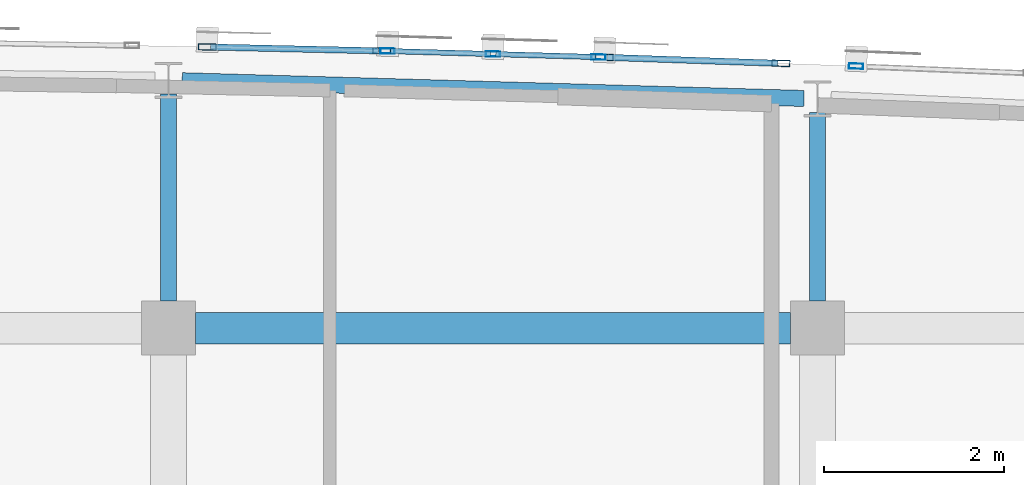
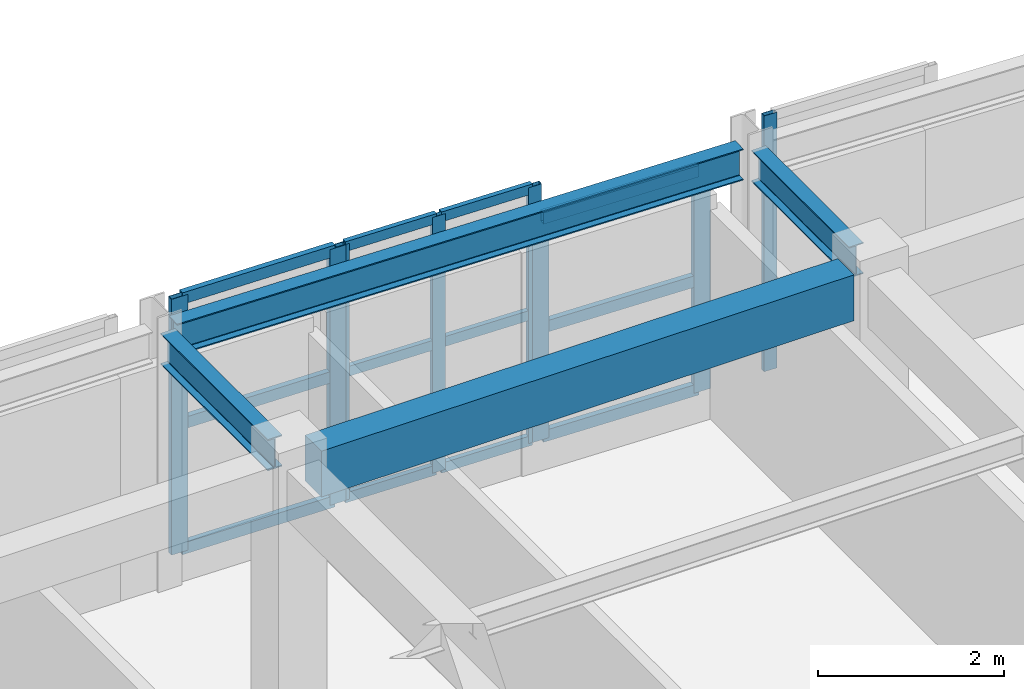
# One storey, part 30 of 73: 20 members, 4 beams, 4 elements without a shape of their own.
"""IFC4 building model written with IfcOpenShell, lengths in metres."""

from ifc_helpers import new_model, si_unit, direction, frame, origin, origin_2d, place, context, subcontext, project, spatial, rectangle, hollow_rectangle, i_section, extrude, material, layer, layer_set, material_profile, profile_set, type_object, element, aggregate, save


model = new_model("IFC4")

# Units and contexts
model_context = context("Model", 3, precision=1e-05, world=origin(), true_north=direction((0.0, 1.0)))
body_context = subcontext(model_context, "Body", "Model", "MODEL_VIEW")
ifc_project = project(units=[si_unit("LENGTHUNIT", "METRE"), si_unit("AREAUNIT", "SQUARE_METRE"), si_unit("VOLUMEUNIT", "CUBIC_METRE"), si_unit("PLANEANGLEUNIT", "RADIAN"), si_unit("MASSUNIT", "GRAM", prefix="KILO")], contexts=[model_context])

# Site, building, storey
site_placement = place(None, origin())
site = spatial("IfcSite", under=ifc_project, at=site_placement, CompositionType="ELEMENT")
building_placement = place(site_placement, origin())
building = spatial("IfcBuilding", under=site, at=building_placement, Name="Carrowvane Square Congress Hotel", CompositionType="ELEMENT")
storey_placement = place(building_placement, frame((0.0, 0.0, 19.199951171875)))
storey = spatial("IfcBuildingStorey", under=building, at=storey_placement, Name="L04", CompositionType="ELEMENT", Elevation=19.199951171875)

# Beams
ifc_material_1 = material(Name="Concrete C35/45", Category="concrete")
ifc_material_profile_1 = material_profile(ifc_material_1, rectangle(XDim=0.35009765625, YDim=0.60009765625, at=origin_2d()), Name="RC 350x600")
ifc_profile_set_1 = profile_set([ifc_material_profile_1], Name="Concrete C35/45")
beam_type_1 = type_object("IfcBeamType", Name="BM-RC-350x600", PredefinedType="BEAM", material=ifc_profile_set_1)
beam_1_placement = place(storey_placement, frame((105.5, 113.39990234375, 3.050048828125), z_axis=(1.0, 0.0, 0.0), x_axis=(0.0, 1.0, 0.0)))
element("IfcBeam", 1, at=beam_1_placement, inside=storey, type_object=beam_type_1, Name="L05 girder R/14-15", PredefinedType="BEAM", context=body_context, shape_type="SweptSolid", body=[
    extrude(rectangle(XDim=0.35009765625, YDim=0.60009765625, at=origin_2d()), origin(), (0.0, 0.0, 1.0), 6.60009765625),
])
ifc_material_2 = material(Name="Steel S355", Category="steel")
ifc_material_profile_2 = material_profile(ifc_material_2, i_section(OverallWidth=0.1787109375, OverallDepth=0.409423828125, WebThickness=0.0087890625, FlangeThickness=0.014404296875, FilletRadius=0.01025390625, at=origin_2d()), Name="UKB 406x178x67")
ifc_profile_set_2 = profile_set([ifc_material_profile_2], Name="Steel S355")
beam_type_2 = type_object("IfcBeamType", Name="BM-ST-UKB406", PredefinedType="BEAM", material=ifc_profile_set_2)
beam_2_placement = place(storey_placement, frame((105.349853515625, 116.1455078125, 3.145263671875), z_axis=(0.999591595899, -0.028576938382, 0.0), x_axis=(0.028576938382, 0.999591595899, 0.0)))
element("IfcBeam", 2, at=beam_2_placement, inside=storey, type_object=beam_type_2, Name="L05 curved north spandrel", PredefinedType="BEAM", context=body_context, shape_type="SweptSolid", body=[
    extrude(i_section(OverallWidth=0.1787109375, OverallDepth=0.409423828125, WebThickness=0.0087890625, FlangeThickness=0.014404296875, FilletRadius=0.01025390625, at=origin_2d()), origin(), (0.0, 0.0, 1.0), 6.903076171875),
])
beam_3_placement = place(storey_placement, frame((105.199951171875, 113.699951171875, 3.145263671875), z_axis=(0.0, 1.0, 0.0), x_axis=(-1.0, 0.0, 0.0)))
element("IfcBeam", 3, at=beam_3_placement, inside=storey, type_object=beam_type_2, Name="L05 radial north beam 14", PredefinedType="BEAM", context=body_context, shape_type="SweptSolid", body=[
    extrude(i_section(OverallWidth=0.1787109375, OverallDepth=0.409423828125, WebThickness=0.0087890625, FlangeThickness=0.014404296875, FilletRadius=0.01025390625, at=origin_2d()), origin(), (0.0, 0.0, 1.0), 2.2998046875),
])
beam_4_placement = place(storey_placement, frame((112.39990234375, 113.699951171875, 3.145263671875), z_axis=(0.0, 1.0, 0.0), x_axis=(-1.0, 0.0, 0.0)))
element("IfcBeam", 4, at=beam_4_placement, inside=storey, type_object=beam_type_2, Name="L05 radial north beam 15", PredefinedType="BEAM", context=body_context, shape_type="SweptSolid", body=[
    extrude(i_section(OverallWidth=0.1787109375, OverallDepth=0.409423828125, WebThickness=0.0087890625, FlangeThickness=0.014404296875, FilletRadius=0.01025390625, at=origin_2d()), origin(), (0.0, 0.0, 1.0), 2.093994140625),
])

# Curtain wall, members
ifc_material_3 = material(Name="Anodised aluminium", Category="aluminium")
ifc_layer_1 = layer(ifc_material_3, 0.2099609375)
ifc_layer_set_1 = layer_set([ifc_layer_1], Name="Anodised aluminium")
curtain_wall_type_1 = type_object("IfcCurtainWallType", Name="CW-SYS-5", PredefinedType="NOTDEFINED", material=ifc_layer_set_1)
curtain_wall_1_placement = place(storey_placement, origin())
curtain_wall_1 = element("IfcCurtainWall", 5, at=curtain_wall_1_placement, inside=storey, type_object=curtain_wall_type_1, Name="L04 unitised curtain wall 276", PredefinedType="NOTDEFINED")
ifc_material_4 = material(Name="Anodised aluminium", Category="aluminium")
ifc_material_profile_3 = material_profile(ifc_material_4, hollow_rectangle(XDim=0.06005859375, YDim=0.159912109375, WallThickness=0.00390625, at=origin_2d()), Name="CW-ML 60x160x4")
ifc_profile_set_3 = profile_set([ifc_material_profile_3], Name="Anodised aluminium")
member_type_1 = type_object("IfcMemberType", Name="CW-MUL-1", PredefinedType="MULLION", material=ifc_profile_set_3)
member_1_placement = place(storey_placement, frame((107.6298828125, 116.474853515625, 0.0), z_axis=(0.0, 0.0, 1.0), x_axis=(0.028638010501, 0.999589848065, 0.0)))
member_1 = element("IfcMember", 6, at=member_1_placement, type_object=member_type_1, Name="CW-5 mullion 1", PredefinedType="MULLION", context=body_context, shape_type="SweptSolid", body=[
    extrude(hollow_rectangle(XDim=0.06005859375, YDim=0.159912109375, WallThickness=0.00390625, at=origin_2d()), origin(), (0.0, 0.0, 1.0), 3.35009765625),
])
member_2_placement = place(storey_placement, frame((108.800048828125, 116.44140625, 0.0), z_axis=(0.0, 0.0, 1.0), x_axis=(0.028638010501, 0.999589848065, 0.0)))
member_2 = element("IfcMember", 7, at=member_2_placement, type_object=member_type_1, Name="CW-5 mullion 2", PredefinedType="MULLION", context=body_context, shape_type="SweptSolid", body=[
    extrude(hollow_rectangle(XDim=0.06005859375, YDim=0.159912109375, WallThickness=0.00390625, at=origin_2d()), origin(), (0.0, 0.0, 1.0), 3.35009765625),
])
member_3_placement = place(storey_placement, frame((109.969970703125, 116.40771484375, 0.0), z_axis=(0.0, 0.0, 1.0), x_axis=(0.028638010501, 0.999589848065, 0.0)))
member_3 = element("IfcMember", 8, at=member_3_placement, type_object=member_type_1, Name="CW-5 mullion 3", PredefinedType="MULLION", context=body_context, shape_type="SweptSolid", body=[
    extrude(hollow_rectangle(XDim=0.06005859375, YDim=0.159912109375, WallThickness=0.00390625, at=origin_2d()), origin(), (0.0, 0.0, 1.0), 3.35009765625),
])

# Curtain wall, member
ifc_material_5 = material(Name="Anodised aluminium", Category="aluminium")
ifc_layer_2 = layer(ifc_material_5, 0.23388671875)
ifc_layer_set_2 = layer_set([ifc_layer_2], Name="Anodised aluminium")
curtain_wall_type_2 = type_object("IfcCurtainWallType", Name="CW-SYS-7", PredefinedType="NOTDEFINED", material=ifc_layer_set_2)
curtain_wall_2_placement = place(storey_placement, origin())
curtain_wall_2 = element("IfcCurtainWall", 9, at=curtain_wall_2_placement, inside=storey, type_object=curtain_wall_type_2, Name="L04 unitised curtain wall 278", PredefinedType="NOTDEFINED")
member_4_placement = place(storey_placement, frame((112.828857421875, 116.306884765625, 0.0), z_axis=(0.0, 0.0, 1.0), x_axis=(0.040130957403, 0.999194428656, 0.0)))
member_4 = element("IfcMember", 10, at=member_4_placement, type_object=member_type_1, Name="CW-7 mullion 1", PredefinedType="MULLION", context=body_context, shape_type="SweptSolid", body=[
    extrude(hollow_rectangle(XDim=0.06005859375, YDim=0.159912109375, WallThickness=0.00390625, at=origin_2d()), origin(), (0.0, 0.0, 1.0), 3.35009765625),
])
aggregate(curtain_wall_2, [member_4])

# Curtain wall, members
ifc_material_6 = material(Name="Anodised aluminium", Category="aluminium")
ifc_layer_3 = layer(ifc_material_6, 0.197998046875)
ifc_layer_set_3 = layer_set([ifc_layer_3], Name="Anodised aluminium")
curtain_wall_type_3 = type_object("IfcCurtainWallType", Name="CW-SYS-4", PredefinedType="NOTDEFINED", material=ifc_layer_set_3)
curtain_wall_3_placement = place(storey_placement, origin())
curtain_wall_3 = element("IfcCurtainWall", 11, at=curtain_wall_3_placement, inside=storey, type_object=curtain_wall_type_3, Name="L04 unitised curtain wall 275", PredefinedType="NOTDEFINED")
ifc_material_7 = material(Name="Anodised aluminium", Category="aluminium")
ifc_material_profile_4 = material_profile(ifc_material_7, hollow_rectangle(XDim=0.070068359375, YDim=0.199951171875, WallThickness=0.0048828125, at=origin_2d()), Name="CW-ML 70x200x5")
ifc_profile_set_4 = profile_set([ifc_material_profile_4], Name="Anodised aluminium")
member_type_2 = type_object("IfcMemberType", Name="CW-MUL-2", PredefinedType="MULLION", material=ifc_profile_set_4)
member_5_placement = place(storey_placement, frame((105.627197265625, 116.52001953125, 0.0), z_axis=(0.0, 0.0, 1.0), x_axis=(0.022517686606, 0.99974644475, 0.0)))
member_5 = element("IfcMember", 12, at=member_5_placement, type_object=member_type_2, Name="CW-4 mullion 1", PredefinedType="MULLION", context=body_context, shape_type="SweptSolid", body=[
    extrude(hollow_rectangle(XDim=0.070068359375, YDim=0.199951171875, WallThickness=0.0048828125, at=origin_2d()), origin(), (0.0, 0.0, 1.0), 3.35009765625),
])
member_6_placement = place(storey_placement, frame((107.56494140625, 116.4765625, 0.0), z_axis=(0.0, 0.0, 1.0), x_axis=(0.022517686606, 0.99974644475, 0.0)))
member_6 = element("IfcMember", 13, at=member_6_placement, type_object=member_type_2, Name="CW-4 mullion 2", PredefinedType="MULLION", context=body_context, shape_type="SweptSolid", body=[
    extrude(hollow_rectangle(XDim=0.070068359375, YDim=0.199951171875, WallThickness=0.0048828125, at=origin_2d()), origin(), (0.0, 0.0, 1.0), 3.35009765625),
])

ifc_material_8 = material(Name="Anodised aluminium", Category="aluminium")
ifc_layer_4 = layer(ifc_material_8, 0.221923828125)
ifc_layer_set_4 = layer_set([ifc_layer_4], Name="Anodised aluminium")
curtain_wall_type_4 = type_object("IfcCurtainWallType", Name="CW-SYS-6", PredefinedType="NOTDEFINED", material=ifc_layer_set_4)
curtain_wall_4_placement = place(storey_placement, origin())
curtain_wall_4 = element("IfcCurtainWall", 14, at=curtain_wall_4_placement, inside=storey, type_object=curtain_wall_type_4, Name="L04 unitised curtain wall 277", PredefinedType="NOTDEFINED")
member_7_placement = place(storey_placement, frame((110.034912109375, 116.40576171875, 0.0), z_axis=(0.0, 0.0, 1.0), x_axis=(0.034529948347, 0.999403663525, 0.0)))
member_7 = element("IfcMember", 15, at=member_7_placement, type_object=member_type_2, Name="CW-6 mullion 1", PredefinedType="MULLION", context=body_context, shape_type="SweptSolid", body=[
    extrude(hollow_rectangle(XDim=0.070068359375, YDim=0.199951171875, WallThickness=0.0048828125, at=origin_2d()), origin(), (0.0, 0.0, 1.0), 2.925537109375),
])
member_8_placement = place(storey_placement, frame((111.99462890625, 116.338134765625, 0.0), z_axis=(0.0, 0.0, 1.0), x_axis=(0.034529948347, 0.999403663525, 0.0)))
member_8 = element("IfcMember", 16, at=member_8_placement, type_object=member_type_2, Name="CW-6 mullion 2", PredefinedType="MULLION", context=body_context, shape_type="SweptSolid", body=[
    extrude(hollow_rectangle(XDim=0.070068359375, YDim=0.199951171875, WallThickness=0.0048828125, at=origin_2d()), origin(), (0.0, 0.0, 1.0), 2.925537109375),
])

# Member
ifc_material_9 = material(Name="Anodised aluminium", Category="aluminium")
ifc_material_profile_5 = material_profile(ifc_material_9, hollow_rectangle(XDim=0.06005859375, YDim=0.1298828125, WallThickness=0.00390625, at=origin_2d()), Name="CW-TR 60x130x4")
ifc_profile_set_5 = profile_set([ifc_material_profile_5], Name="Anodised aluminium")
member_type_3 = type_object("IfcMemberType", Name="CW-TRN-1", PredefinedType="USERDEFINED", material=ifc_profile_set_5)
member_9_placement = place(storey_placement, frame((107.659912109375, 116.473876953125, 0.030029296875), z_axis=(0.99959154835, -0.028578601558, 0.0), x_axis=(0.028578601558, 0.99959154835, 0.0)))
member_9 = element("IfcMember", 17, at=member_9_placement, type_object=member_type_3, Name="CW-5 transom 1.1", ObjectType="TRANSOM", PredefinedType="USERDEFINED", context=body_context, shape_type="SweptSolid", body=[
    extrude(hollow_rectangle(XDim=0.06005859375, YDim=0.1298828125, WallThickness=0.00390625, at=origin_2d()), origin(), (0.0, 0.0, 1.0), 1.110595703125),
])

member_10_placement = place(storey_placement, frame((107.659912109375, 116.473876953125, 1.675048828125), z_axis=(0.99959154835, -0.028578601558, 0.0), x_axis=(0.028578601558, 0.99959154835, 0.0)))
member_10 = element("IfcMember", 18, at=member_10_placement, type_object=member_type_3, Name="CW-5 transom 1.2", ObjectType="TRANSOM", PredefinedType="USERDEFINED", context=body_context, shape_type="SweptSolid", body=[
    extrude(hollow_rectangle(XDim=0.06005859375, YDim=0.1298828125, WallThickness=0.00390625, at=origin_2d()), origin(), (0.0, 0.0, 1.0), 1.110595703125),
])

member_11_placement = place(storey_placement, frame((107.659912109375, 116.473876953125, 3.320068359375), z_axis=(0.99959154835, -0.028578601558, 0.0), x_axis=(0.028578601558, 0.99959154835, 0.0)))
member_11 = element("IfcMember", 19, at=member_11_placement, type_object=member_type_3, Name="CW-5 transom 1.3", ObjectType="TRANSOM", PredefinedType="USERDEFINED", context=body_context, shape_type="SweptSolid", body=[
    extrude(hollow_rectangle(XDim=0.06005859375, YDim=0.1298828125, WallThickness=0.00390625, at=origin_2d()), origin(), (0.0, 0.0, 1.0), 1.110595703125),
])

member_12_placement = place(storey_placement, frame((108.830078125, 116.4404296875, 0.030029296875), z_axis=(0.999591368743, -0.02858488296, 0.0), x_axis=(0.02858488296, 0.999591368743, 0.0)))
member_12 = element("IfcMember", 20, at=member_12_placement, type_object=member_type_3, Name="CW-5 transom 2.1", ObjectType="TRANSOM", PredefinedType="USERDEFINED", context=body_context, shape_type="SweptSolid", body=[
    extrude(hollow_rectangle(XDim=0.06005859375, YDim=0.1298828125, WallThickness=0.00390625, at=origin_2d()), origin(), (0.0, 0.0, 1.0), 1.1103515625),
])

member_13_placement = place(storey_placement, frame((108.830078125, 116.4404296875, 1.675048828125), z_axis=(0.999591368743, -0.02858488296, 0.0), x_axis=(0.02858488296, 0.999591368743, 0.0)))
member_13 = element("IfcMember", 21, at=member_13_placement, type_object=member_type_3, Name="CW-5 transom 2.2", ObjectType="TRANSOM", PredefinedType="USERDEFINED", context=body_context, shape_type="SweptSolid", body=[
    extrude(hollow_rectangle(XDim=0.06005859375, YDim=0.1298828125, WallThickness=0.00390625, at=origin_2d()), origin(), (0.0, 0.0, 1.0), 1.1103515625),
])

member_14_placement = place(storey_placement, frame((108.830078125, 116.4404296875, 3.320068359375), z_axis=(0.999591368743, -0.02858488296, 0.0), x_axis=(0.02858488296, 0.999591368743, 0.0)))
member_14 = element("IfcMember", 22, at=member_14_placement, type_object=member_type_3, Name="CW-5 transom 2.3", ObjectType="TRANSOM", PredefinedType="USERDEFINED", context=body_context, shape_type="SweptSolid", body=[
    extrude(hollow_rectangle(XDim=0.06005859375, YDim=0.1298828125, WallThickness=0.00390625, at=origin_2d()), origin(), (0.0, 0.0, 1.0), 1.1103515625),
])

aggregate(curtain_wall_1, [member_1, member_2, member_3, member_9, member_10, member_11, member_12, member_13, member_14])

ifc_material_10 = material(Name="Anodised aluminium", Category="aluminium")
ifc_material_profile_6 = material_profile(ifc_material_10, hollow_rectangle(XDim=0.070068359375, YDim=0.14990234375, WallThickness=0.0048828125, at=origin_2d()), Name="CW-TR 70x150x5")
ifc_profile_set_6 = profile_set([ifc_material_profile_6], Name="Anodised aluminium")
member_type_4 = type_object("IfcMemberType", Name="CW-TRN-2", PredefinedType="USERDEFINED", material=ifc_profile_set_6)
member_15_placement = place(storey_placement, frame((105.662353515625, 116.519287109375, 0.03515625), z_axis=(0.999747338303, -0.022477979371, 0.0), x_axis=(0.022477979371, 0.999747338303, 0.0)))
member_15 = element("IfcMember", 23, at=member_15_placement, type_object=member_type_4, Name="CW-4 transom 1.1", ObjectType="TRANSOM", PredefinedType="USERDEFINED", context=body_context, shape_type="SweptSolid", body=[
    extrude(hollow_rectangle(XDim=0.070068359375, YDim=0.14990234375, WallThickness=0.0048828125, at=origin_2d()), origin(), (0.0, 0.0, 1.0), 1.8681640625),
])

member_16_placement = place(storey_placement, frame((105.662353515625, 116.519287109375, 1.675048828125), z_axis=(0.999747338303, -0.022477979371, 0.0), x_axis=(0.022477979371, 0.999747338303, 0.0)))
member_16 = element("IfcMember", 24, at=member_16_placement, type_object=member_type_4, Name="CW-4 transom 1.2", ObjectType="TRANSOM", PredefinedType="USERDEFINED", context=body_context, shape_type="SweptSolid", body=[
    extrude(hollow_rectangle(XDim=0.070068359375, YDim=0.14990234375, WallThickness=0.0048828125, at=origin_2d()), origin(), (0.0, 0.0, 1.0), 1.8681640625),
])

member_17_placement = place(storey_placement, frame((105.662353515625, 116.519287109375, 3.31494140625), z_axis=(0.999747338303, -0.022477979371, 0.0), x_axis=(0.022477979371, 0.999747338303, 0.0)))
member_17 = element("IfcMember", 25, at=member_17_placement, type_object=member_type_4, Name="CW-4 transom 1.3", ObjectType="TRANSOM", PredefinedType="USERDEFINED", context=body_context, shape_type="SweptSolid", body=[
    extrude(hollow_rectangle(XDim=0.070068359375, YDim=0.14990234375, WallThickness=0.0048828125, at=origin_2d()), origin(), (0.0, 0.0, 1.0), 1.8681640625),
])

aggregate(curtain_wall_3, [member_5, member_6, member_15, member_16, member_17])

member_18_placement = place(storey_placement, frame((110.070068359375, 116.404541015625, 0.03515625), z_axis=(0.999400927338, -0.034609051367, 0.0), x_axis=(0.034609051367, 0.999400927338, 0.0)))
member_18 = element("IfcMember", 26, at=member_18_placement, type_object=member_type_4, Name="CW-6 transom 1.1", ObjectType="TRANSOM", PredefinedType="USERDEFINED", context=body_context, shape_type="SweptSolid", body=[
    extrude(hollow_rectangle(XDim=0.070068359375, YDim=0.14990234375, WallThickness=0.0048828125, at=origin_2d()), origin(), (0.0, 0.0, 1.0), 1.890625),
])

member_19_placement = place(storey_placement, frame((110.070068359375, 116.404541015625, 1.462890625), z_axis=(0.999400927338, -0.034609051367, 0.0), x_axis=(0.034609051367, 0.999400927338, 0.0)))
member_19 = element("IfcMember", 27, at=member_19_placement, type_object=member_type_4, Name="CW-6 transom 1.2", ObjectType="TRANSOM", PredefinedType="USERDEFINED", context=body_context, shape_type="SweptSolid", body=[
    extrude(hollow_rectangle(XDim=0.070068359375, YDim=0.14990234375, WallThickness=0.0048828125, at=origin_2d()), origin(), (0.0, 0.0, 1.0), 1.890625),
])

member_20_placement = place(storey_placement, frame((110.070068359375, 116.404541015625, 2.890625), z_axis=(0.999400927338, -0.034609051367, 0.0), x_axis=(0.034609051367, 0.999400927338, 0.0)))
member_20 = element("IfcMember", 28, at=member_20_placement, type_object=member_type_4, Name="CW-6 transom 1.3", ObjectType="TRANSOM", PredefinedType="USERDEFINED", context=body_context, shape_type="SweptSolid", body=[
    extrude(hollow_rectangle(XDim=0.070068359375, YDim=0.14990234375, WallThickness=0.0048828125, at=origin_2d()), origin(), (0.0, 0.0, 1.0), 1.890625),
])

aggregate(curtain_wall_4, [member_7, member_8, member_18, member_19, member_20])

save(model, "model.ifc")
